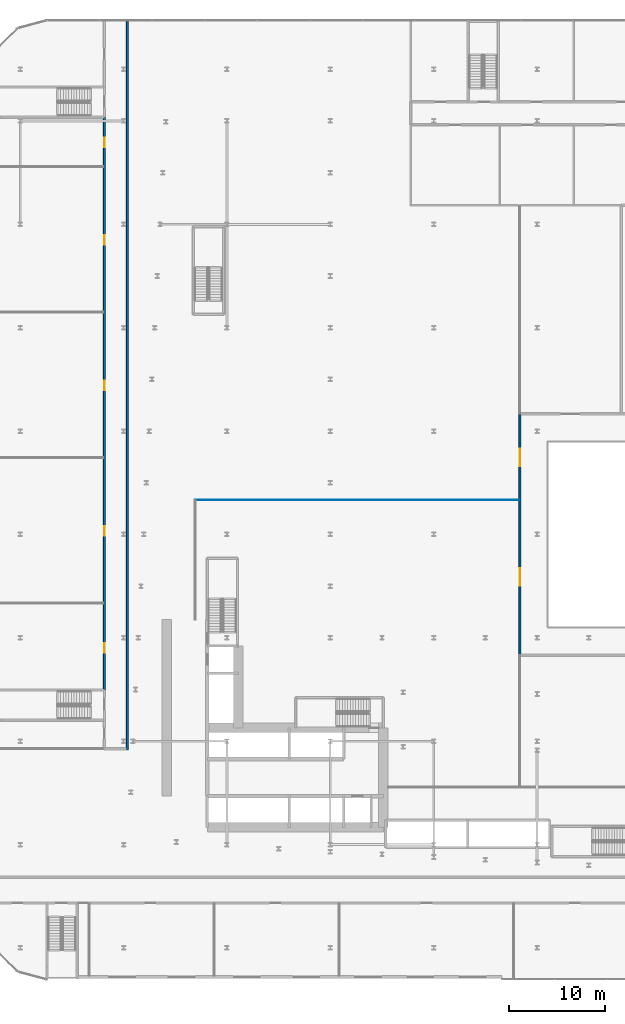
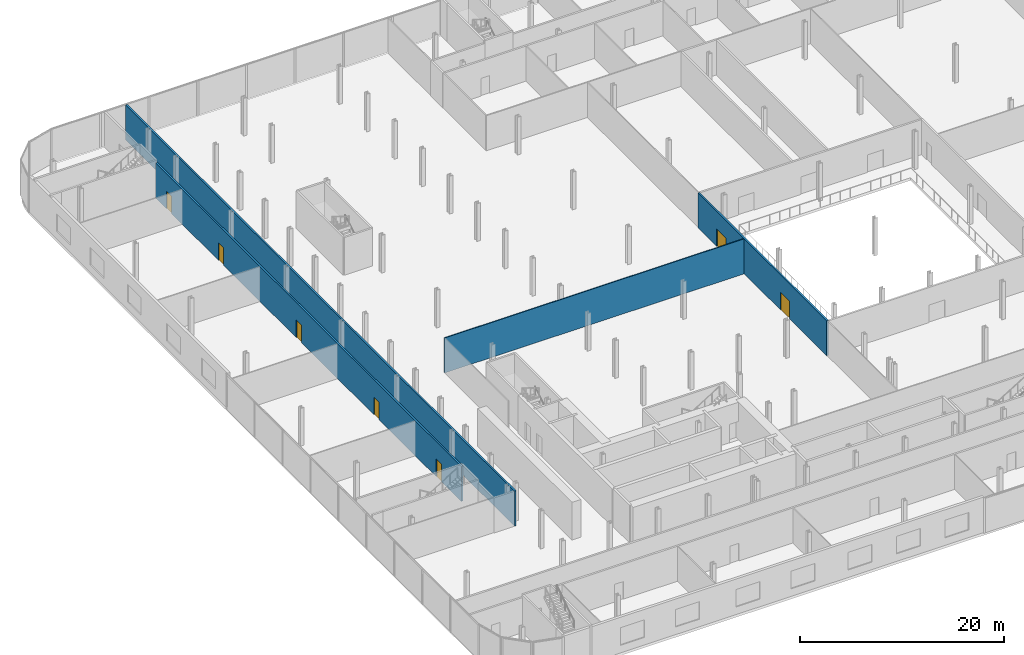
# One storey, part 31 of 47: 7 doors, 4 walls, 7 openings.
"""IFC4 building model written with IfcOpenShell, lengths in metres."""

from ifc_helpers import new_model, si_unit, direction, frame, frame_2d, origin, place, context, subcontext, project, spatial, rectangle, extrude, source, transform, mapped, material, layer, layer_set, type_object, element, fill, save


model = new_model("IFC4")

# Units and contexts
model_context = context("Model", 3, precision=1e-05, world=origin(), true_north=direction((0.0, 1.0)))
body_context = subcontext(model_context, "Body", "Model", "MODEL_VIEW")
ifc_project = project(units=[si_unit("LENGTHUNIT", "METRE"), si_unit("AREAUNIT", "SQUARE_METRE"), si_unit("VOLUMEUNIT", "CUBIC_METRE"), si_unit("PLANEANGLEUNIT", "RADIAN"), si_unit("MASSUNIT", "GRAM", prefix="KILO")], contexts=[model_context])

# Site, building, storey
site_placement = place(None, origin())
site = spatial("IfcSite", under=ifc_project, at=site_placement, CompositionType="ELEMENT")
building_placement = place(site_placement, origin())
building = spatial("IfcBuilding", under=site, at=building_placement, Name="Kheshtan School and Residences Tower", CompositionType="ELEMENT")
storey_placement = place(building_placement, frame((0.0, 0.0, 12.5)))
storey = spatial("IfcBuildingStorey", under=building, at=storey_placement, Name="L02", CompositionType="ELEMENT", Elevation=12.5)

# Wall, openings, doors
ifc_material_1 = material(Name="Gypsum board on steel studs with fire boards", Category="steel")
ifc_layer_1 = layer(ifc_material_1, 0.199951171875)
ifc_layer_set_1 = layer_set([ifc_layer_1], Name="Corridor wall 200")
wall_type_1 = type_object("IfcWallType", Name="Corridor wall 200", PredefinedType="PARTITIONING", material=ifc_layer_set_1)
wall_1_placement = place(storey_placement, frame((24.0, 40.14990234375, 0.0), z_axis=(0.0, 0.0, 1.0), x_axis=(0.0, 1.0, 0.0)))
wall_1 = element("IfcWall", 1, at=wall_1_placement, inside=storey, type_object=wall_type_1, Name="Partition L02-012", PredefinedType="PARTITIONING", context=body_context, shape_type="SweptSolid", body=[
    extrude(rectangle(XDim=59.85009765625, YDim=0.199951171875, at=frame_2d((29.925048828125, 0.0))), origin(), (0.0, 0.0, 1.0), 4.179931640625),
])
opening_1_placement = place(wall_1_placement, frame((3.89990234375, 0.0, 0.0)))
opening_1 = element("IfcOpeningElement", 2, at=opening_1_placement, cuts=wall_1, Name="Opening D02-053", PredefinedType="OPENING", context=body_context, shape_type="SweptSolid", body=[
    extrude(rectangle(XDim=1.0, YDim=2.10009765625, at=frame_2d((0.5, 1.050048828125))), frame((0.0, 0.10986328125, 0.0), z_axis=(0.0, -1.0, 0.0), x_axis=(1.0, 0.0, 0.0)), (0.0, 0.0, 1.0), 0.219970703125),
])
opening_2_placement = place(wall_1_placement, frame((16.10009765625, 0.0, 0.0)))
opening_2 = element("IfcOpeningElement", 3, at=opening_2_placement, cuts=wall_1, Name="Opening D02-054", PredefinedType="OPENING", context=body_context, shape_type="SweptSolid", body=[
    extrude(rectangle(XDim=1.0, YDim=2.10009765625, at=frame_2d((0.5, 1.050048828125))), frame((0.0, 0.10986328125, 0.0), z_axis=(0.0, -1.0, 0.0), x_axis=(1.0, 0.0, 0.0)), (0.0, 0.0, 1.0), 0.219970703125),
])
opening_3_placement = place(wall_1_placement, frame((31.300048828125, 0.0, 0.0)))
opening_3 = element("IfcOpeningElement", 4, at=opening_3_placement, cuts=wall_1, Name="Opening D02-055", PredefinedType="OPENING", context=body_context, shape_type="SweptSolid", body=[
    extrude(rectangle(XDim=1.0, YDim=2.10009765625, at=frame_2d((0.5, 1.050048828125))), frame((0.0, 0.10986328125, 0.0), z_axis=(0.0, -1.0, 0.0), x_axis=(1.0, 0.0, 0.0)), (0.0, 0.0, 1.0), 0.219970703125),
])
opening_4_placement = place(wall_1_placement, frame((46.5, 0.0, 0.0)))
opening_4 = element("IfcOpeningElement", 5, at=opening_4_placement, cuts=wall_1, Name="Opening D02-056", PredefinedType="OPENING", context=body_context, shape_type="SweptSolid", body=[
    extrude(rectangle(XDim=1.0, YDim=2.10009765625, at=frame_2d((0.5, 1.050048828125))), frame((0.0, 0.10986328125, 0.0), z_axis=(0.0, -1.0, 0.0), x_axis=(1.0, 0.0, 0.0)), (0.0, 0.0, 1.0), 0.219970703125),
])
opening_5_placement = place(wall_1_placement, frame((56.699951171875, 0.0, 0.0)))
opening_5 = element("IfcOpeningElement", 6, at=opening_5_placement, cuts=wall_1, Name="Opening D02-057", PredefinedType="OPENING", context=body_context, shape_type="SweptSolid", body=[
    extrude(rectangle(XDim=1.0, YDim=2.10009765625, at=frame_2d((0.5, 1.050048828125))), frame((0.0, 0.10986328125, 0.0), z_axis=(0.0, -1.0, 0.0), x_axis=(1.0, 0.0, 0.0)), (0.0, 0.0, 1.0), 0.219970703125),
])
ifc_material_2 = material(Name="Steel-framed fire-resisting door leaf", Category="steel")
door_type_1 = type_object("IfcDoorType", Name="Fire door FD60 1000 x 2100", OperationType="SINGLE_SWING_LEFT", PredefinedType="DOOR", material=ifc_material_2)
shared_shape_1 = source(origin(), body_context, "Body", "SweptSolid", [
    extrude(rectangle(XDim=1.0, YDim=2.10009765625, at=frame_2d((0.5, 1.050048828125))), frame((0.0, 0.02490234375, 0.0), z_axis=(0.0, -1.0, 0.0), x_axis=(1.0, 0.0, 0.0)), (0.0, 0.0, 1.0), 0.050048828125),
])
door_1_placement = place(opening_1_placement, origin())
door_1 = element("IfcDoor", 7, at=door_1_placement, inside=storey, type_object=door_type_1, Name="Door D02-053", OperationType="SINGLE_SWING_LEFT", OverallHeight=2.10009765625, OverallWidth=1.0, PredefinedType="DOOR", context=body_context, shape_type="MappedRepresentation", body=[
    mapped(shared_shape_1, transform((0.0, 0.0, 0.0), x_axis=(1.0, 0.0, 0.0), y_axis=(0.0, 1.0, 0.0), z_axis=(0.0, 0.0, 1.0), scale=1.0)),
])
fill(opening_1, door_1)
door_2_placement = place(opening_2_placement, origin())
door_2 = element("IfcDoor", 8, at=door_2_placement, inside=storey, type_object=door_type_1, Name="Door D02-054", OperationType="SINGLE_SWING_LEFT", OverallHeight=2.10009765625, OverallWidth=1.0, PredefinedType="DOOR", context=body_context, shape_type="MappedRepresentation", body=[
    mapped(shared_shape_1, transform((0.0, 0.0, 0.0), x_axis=(1.0, 0.0, 0.0), y_axis=(0.0, 1.0, 0.0), z_axis=(0.0, 0.0, 1.0), scale=1.0)),
])
fill(opening_2, door_2)
door_3_placement = place(opening_3_placement, origin())
door_3 = element("IfcDoor", 9, at=door_3_placement, inside=storey, type_object=door_type_1, Name="Door D02-055", OperationType="SINGLE_SWING_LEFT", OverallHeight=2.10009765625, OverallWidth=1.0, PredefinedType="DOOR", context=body_context, shape_type="MappedRepresentation", body=[
    mapped(shared_shape_1, transform((0.0, 0.0, 0.0), x_axis=(1.0, 0.0, 0.0), y_axis=(0.0, 1.0, 0.0), z_axis=(0.0, 0.0, 1.0), scale=1.0)),
])
fill(opening_3, door_3)
door_4_placement = place(opening_4_placement, origin())
door_4 = element("IfcDoor", 10, at=door_4_placement, inside=storey, type_object=door_type_1, Name="Door D02-056", OperationType="SINGLE_SWING_LEFT", OverallHeight=2.10009765625, OverallWidth=1.0, PredefinedType="DOOR", context=body_context, shape_type="MappedRepresentation", body=[
    mapped(shared_shape_1, transform((0.0, 0.0, 0.0), x_axis=(1.0, 0.0, 0.0), y_axis=(0.0, 1.0, 0.0), z_axis=(0.0, 0.0, 1.0), scale=1.0)),
])
fill(opening_4, door_4)
door_5_placement = place(opening_5_placement, origin())
door_5 = element("IfcDoor", 11, at=door_5_placement, inside=storey, type_object=door_type_1, Name="Door D02-057", OperationType="SINGLE_SWING_LEFT", OverallHeight=2.10009765625, OverallWidth=1.0, PredefinedType="DOOR", context=body_context, shape_type="MappedRepresentation", body=[
    mapped(shared_shape_1, transform((0.0, 0.0, 0.0), x_axis=(1.0, 0.0, 0.0), y_axis=(0.0, 1.0, 0.0), z_axis=(0.0, 0.0, 1.0), scale=1.0)),
])
fill(opening_5, door_5)

# Wall
wall_2_placement = place(storey_placement, frame((26.39990234375, 33.89990234375, 0.0), z_axis=(0.0, 0.0, 1.0), x_axis=(0.0, 1.0, 0.0)))
element("IfcWall", 12, at=wall_2_placement, inside=storey, type_object=wall_type_1, Name="Partition L02-014", PredefinedType="PARTITIONING", context=body_context, shape_type="SweptSolid", body=[
    extrude(rectangle(XDim=76.10009765625, YDim=0.199951171875, at=frame_2d((38.050048828125, 0.0))), origin(), (0.0, 0.0, 1.0), 4.179931640625),
])

# Wall, openings, doors
wall_3_placement = place(storey_placement, frame((67.39990234375, 43.800048828125, 0.0), z_axis=(0.0, 0.0, 1.0), x_axis=(0.0, 1.0, 0.0)))
wall_3 = element("IfcWall", 13, at=wall_3_placement, inside=storey, type_object=wall_type_1, Name="Partition L02-030", PredefinedType="PARTITIONING", context=body_context, shape_type="SweptSolid", body=[
    extrude(rectangle(XDim=25.199951171875, YDim=0.199951171875, at=frame_2d((12.60009765625, 0.0))), origin(), (0.0, 0.0, 1.0), 4.179931640625),
])
opening_6_placement = place(wall_3_placement, frame((7.25, 0.0, 0.0)))
opening_6 = element("IfcOpeningElement", 14, at=opening_6_placement, cuts=wall_3, Name="Opening D02-059", PredefinedType="OPENING", context=body_context, shape_type="SweptSolid", body=[
    extrude(rectangle(XDim=1.800048828125, YDim=2.10009765625, at=frame_2d((0.89990234375, 1.050048828125))), frame((0.0, 0.10986328125, 0.0), z_axis=(0.0, -1.0, 0.0), x_axis=(1.0, 0.0, 0.0)), (0.0, 0.0, 1.0), 0.219970703125),
])
opening_7_placement = place(wall_3_placement, frame((19.75, 0.0, 0.0)))
opening_7 = element("IfcOpeningElement", 15, at=opening_7_placement, cuts=wall_3, Name="Opening D02-060", PredefinedType="OPENING", context=body_context, shape_type="SweptSolid", body=[
    extrude(rectangle(XDim=1.800048828125, YDim=2.10009765625, at=frame_2d((0.89990234375, 1.050048828125))), frame((0.0, 0.10986328125, 0.0), z_axis=(0.0, -1.0, 0.0), x_axis=(1.0, 0.0, 0.0)), (0.0, 0.0, 1.0), 0.219970703125),
])
door_type_2 = type_object("IfcDoorType", Name="Fire double door FD60 1800 x 2100", OperationType="DOUBLE_DOOR_SINGLE_SWING", PredefinedType="DOOR", material=ifc_material_2)
shared_shape_2 = source(origin(), body_context, "Body", "SweptSolid", [
    extrude(rectangle(XDim=1.800048828125, YDim=2.10009765625, at=frame_2d((0.89990234375, 1.050048828125))), frame((0.0, 0.02490234375, 0.0), z_axis=(0.0, -1.0, 0.0), x_axis=(1.0, 0.0, 0.0)), (0.0, 0.0, 1.0), 0.050048828125),
])
door_6_placement = place(opening_6_placement, origin())
door_6 = element("IfcDoor", 16, at=door_6_placement, inside=storey, type_object=door_type_2, Name="Door D02-059", OperationType="DOUBLE_DOOR_SINGLE_SWING", OverallHeight=2.10009765625, OverallWidth=1.800048828125, PredefinedType="DOOR", context=body_context, shape_type="MappedRepresentation", body=[
    mapped(shared_shape_2, transform((0.0, 0.0, 0.0), x_axis=(1.0, 0.0, 0.0), y_axis=(0.0, 1.0, 0.0), z_axis=(0.0, 0.0, 1.0), scale=1.0)),
])
fill(opening_6, door_6)
door_7_placement = place(opening_7_placement, origin())
door_7 = element("IfcDoor", 17, at=door_7_placement, inside=storey, type_object=door_type_2, Name="Door D02-060", OperationType="DOUBLE_DOOR_SINGLE_SWING", OverallHeight=2.10009765625, OverallWidth=1.800048828125, PredefinedType="DOOR", context=body_context, shape_type="MappedRepresentation", body=[
    mapped(shared_shape_2, transform((0.0, 0.0, 0.0), x_axis=(1.0, 0.0, 0.0), y_axis=(0.0, 1.0, 0.0), z_axis=(0.0, 0.0, 1.0), scale=1.0)),
])
fill(opening_7, door_7)

# Wall
ifc_material_3 = material(Name="Gypsum board on steel studs", Category="steel")
ifc_layer_2 = layer(ifc_material_3, 0.10009765625)
ifc_layer_set_2 = layer_set([ifc_layer_2], Name="Gypsum partition 100")
wall_type_2 = type_object("IfcWallType", Name="Gypsum partition 100", PredefinedType="PARTITIONING", material=ifc_layer_set_2)
wall_4_placement = place(storey_placement, frame((33.449951171875, 60.0, 0.0), z_axis=(0.0, 0.0, 1.0), x_axis=(1.0, 0.0, 0.0)))
element("IfcWall", 18, at=wall_4_placement, inside=storey, type_object=wall_type_2, Name="Partition L02-015", PredefinedType="PARTITIONING", context=body_context, shape_type="SweptSolid", body=[
    extrude(rectangle(XDim=33.85009765625, YDim=0.10009765625, at=frame_2d((16.925048828125, 0.0))), origin(), (0.0, 0.0, 1.0), 4.179931640625),
])

save(model, "model.ifc")
